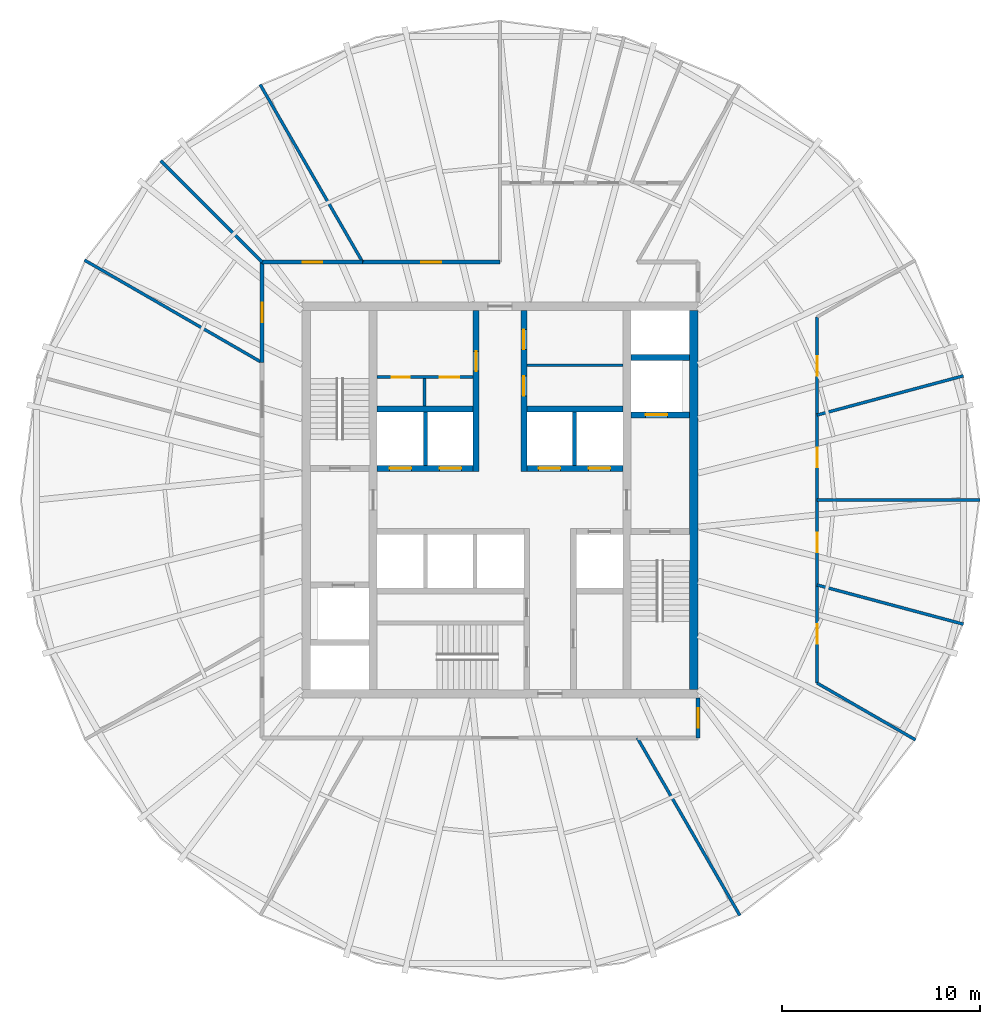
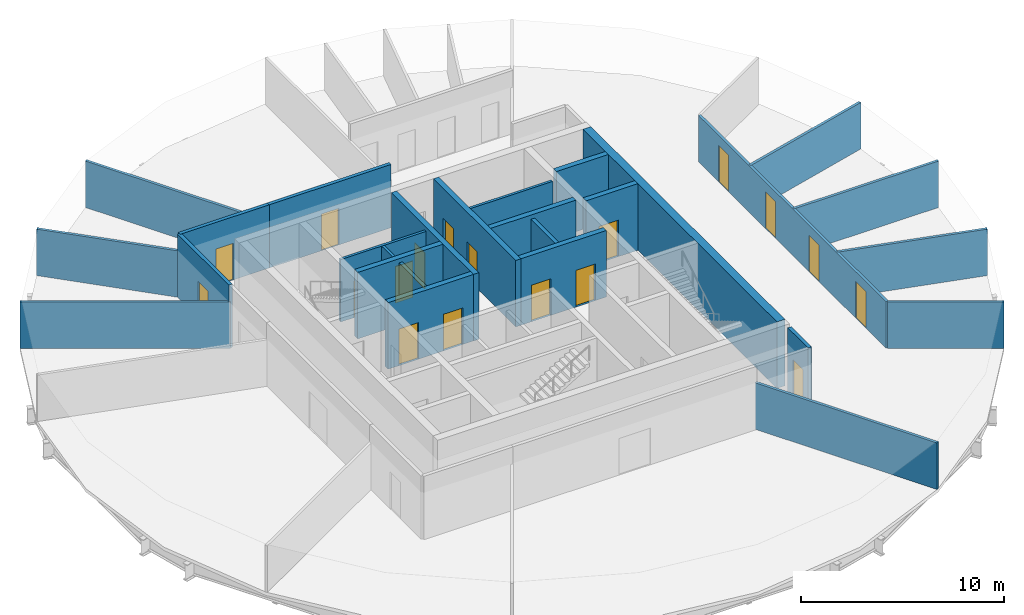
# One storey, part 4 of 6: 27 walls, 18 doors, 18 openings.
"""IFC4 building model written with IfcOpenShell, lengths in metres."""

import ifcopenshell
import ifcopenshell.guid

model = None  # the IFC model being written
_history = None  # IfcOwnerHistory: only IFC2X3 demands one
_inside = {}  # id of a spatial element -> (the spatial element, [elements in it])
_under = {}  # id of a project, library or spatial element -> (it, [spatial elements below it])
_declared = {}  # id of a project -> (the project, [libraries it declares])
_typed = {}  # id of a type object -> (the type object, [elements of that type])
_made_of = {}  # id of a material, layer set ... -> (it, [elements and type objects made of it])


def new_model(schema):
    """Start an empty IFC model of exactly this schema.

    Asked for "IFC4X3", IfcOpenShell would pick the latest addendum, in which some entities
    have other attributes; the version numbers below select the first issue.
    IFC2X3 requires an IfcOwnerHistory on every rooted entity: one is made here for all.
    """
    global model, _history
    if schema == "IFC4X3":
        model = ifcopenshell.file(schema_version=(4, 3, 0, 0))
    else:
        model = ifcopenshell.file(schema=schema)
    _inside.clear()
    _under.clear()
    _declared.clear()
    _typed.clear()
    _made_of.clear()
    _history = None
    if model.schema == "IFC2X3":
        org = make("IfcOrganization", Name="unknown")
        user = make(
            "IfcPersonAndOrganization",
            ThePerson=make("IfcPerson", FamilyName="unknown"),
            TheOrganization=org,
        )
        app = make(
            "IfcApplication",
            ApplicationDeveloper=org,
            Version="unknown",
            ApplicationFullName="unknown",
            ApplicationIdentifier="unknown",
        )
        _history = make(
            "IfcOwnerHistory",
            OwningUser=user,
            OwningApplication=app,
            ChangeAction="ADDED",
            CreationDate=0,
        )
    return model


def make(cls, **values):
    """One entity of the class cls with the attributes given. An attribute that is None is left unset."""
    return model.create_entity(
        cls, **{name: value for name, value in values.items() if value is not None}
    )


def rooted(cls, **values):
    """An entity with a GlobalId (a new one), such as an element, a storey or a relation."""
    return make(cls, GlobalId=ifcopenshell.guid.new(), OwnerHistory=_history, **values)


def si_unit(unit_type, name, prefix=None):
    """IfcSIUnit, for example si_unit("LENGTHUNIT", "METRE", prefix="MILLI")."""
    return make("IfcSIUnit", UnitType=unit_type, Prefix=prefix, Name=name)


def assignment(units):
    """IfcUnitAssignment: the units of a project."""
    return None if units is None else make("IfcUnitAssignment", Units=units)


def point(xyz):
    """IfcCartesianPoint."""
    return None if xyz is None else make("IfcCartesianPoint", Coordinates=xyz)


def direction(xyz):
    """IfcDirection."""
    return None if xyz is None else make("IfcDirection", DirectionRatios=xyz)


def frame(location, z_axis=None, x_axis=None):
    """IfcAxis2Placement3D, a coordinate frame: its origin and axes. An axis left out is left unset."""
    return make(
        "IfcAxis2Placement3D",
        Location=point(location),
        Axis=direction(z_axis),
        RefDirection=direction(x_axis),
    )


def frame_2d(location, x_axis=None):
    """IfcAxis2Placement2D, a coordinate frame in the plane: its origin and x axis."""
    return make(
        "IfcAxis2Placement2D", Location=point(location), RefDirection=direction(x_axis)
    )


def origin():
    """The frame at (0, 0, 0) with its axes left unset."""
    return frame((0.0, 0.0, 0.0))


def place(relative_to, where):
    """IfcLocalPlacement: puts the frame where relative to a parent placement (None: the world)."""
    return make(
        "IfcLocalPlacement", PlacementRelTo=relative_to, RelativePlacement=where
    )


def context(
    kind, dimensions, precision=None, world=None, true_north=None, identifier=None
):
    """IfcGeometricRepresentationContext, for example the 3D "Model" context."""
    return make(
        "IfcGeometricRepresentationContext",
        ContextIdentifier=identifier,
        ContextType=kind,
        CoordinateSpaceDimension=dimensions,
        Precision=precision,
        WorldCoordinateSystem=world,
        TrueNorth=true_north,
    )


def subcontext(parent, identifier, kind, view, scale=None):
    """IfcGeometricRepresentationSubContext, for example "Body" below "Model"."""
    return make(
        "IfcGeometricRepresentationSubContext",
        ContextIdentifier=identifier,
        ContextType=kind,
        ParentContext=parent,
        TargetScale=scale,
        TargetView=view,
    )


def project(units=None, contexts=None):
    """IfcProject with its units and contexts."""
    return rooted(
        "IfcProject",
        Name="project",
        RepresentationContexts=contexts,
        UnitsInContext=assignment(units),
    )


def spatial(cls, under=None, at=None, **own):
    """A site, building, storey or space (cls), placed at a placement, below another one or the project."""
    s = rooted(cls, ObjectPlacement=at, **own)
    if under is not None:
        _under.setdefault(under.id(), (under, []))[1].append(s)
    return s


def profile(cls, at=None, kind="AREA", **sizes):
    """A parametric profile (cls). Its sizes go by their IFC names, for example OverallWidth=200.0."""
    return make(cls, ProfileType=kind, Position=at, **sizes)


def rectangle(**sizes):
    """IfcRectangleProfileDef."""
    return profile("IfcRectangleProfileDef", **sizes)


def extrude(swept, where, along, depth):
    """IfcExtrudedAreaSolid: the profile swept, set in the frame where, extruded along a direction by depth."""
    return make(
        "IfcExtrudedAreaSolid",
        SweptArea=swept,
        Position=where,
        ExtrudedDirection=direction(along),
        Depth=depth,
    )


def shape(context_of_items, identifier, shape_type, items):
    """IfcShapeRepresentation: the items that make up one representation, for example the "Body"."""
    return make(
        "IfcShapeRepresentation",
        ContextOfItems=context_of_items,
        RepresentationIdentifier=identifier,
        RepresentationType=shape_type,
        Items=items,
    )


def material(Name=None, Category=None):
    """IfcMaterial."""
    return make("IfcMaterial", Name=Name, Category=Category)


def layer(
    of_material, thickness, ventilated=None, Name=None, Category=None, Priority=None
):
    """IfcMaterialLayer: one layer of a wall or slab, of a material (None: an air gap)."""
    return make(
        "IfcMaterialLayer",
        Material=of_material,
        LayerThickness=thickness,
        IsVentilated=ventilated,
        Name=Name,
        Category=Category,
        Priority=Priority,
    )


def layer_set(layers, Name=None):
    """IfcMaterialLayerSet."""
    return make("IfcMaterialLayerSet", MaterialLayers=layers, LayerSetName=Name)


def made_of(thing, what):
    """Note that an element or type object is made of a material, layer set ...; save() writes the relation."""
    if what is not None:
        _made_of.setdefault(what.id(), (what, []))[1].append(thing)
    return thing


def type_object(cls, material=None, **own):
    """A type object (cls), such as IfcWallType, which elements share."""
    return made_of(rooted(cls, **own), material)


def element(
    cls,
    number,
    at=None,
    inside=None,
    cuts=None,
    type_object=None,
    material=None,
    context=None,
    identifier="Body",
    shape_type=None,
    held_by="IfcProductDefinitionShape",
    body=None,
    shapes=None,
    **own,
):
    """One element of the class cls, such as IfcWall. Its Tag is "e" and its number.

    at: its placement. inside: the storey or other place that contains it. cuts: it is an
    opening in that element (IfcRelVoidsElement). A single representation is given by context,
    identifier, shape_type and body (its items); several are given by shapes. held_by: the class
    of the entity that holds the representations. save() writes the other relations.
    """
    e = rooted(cls, Tag="e%d" % number, ObjectPlacement=at, **own)
    if body is not None:
        shapes = [shape(context, identifier, shape_type, body)]
    if shapes is not None:
        e.Representation = make(held_by, Representations=shapes)
    if inside is not None:
        _inside.setdefault(inside.id(), (inside, []))[1].append(e)
    if cuts is not None:
        rooted(
            "IfcRelVoidsElement", RelatingBuildingElement=cuts, RelatedOpeningElement=e
        )
    if type_object is not None:
        _typed.setdefault(type_object.id(), (type_object, []))[1].append(e)
    return made_of(e, material)


def fill(opening, filler):
    """IfcRelFillsElement: the door or window that sits in an opening."""
    return rooted(
        "IfcRelFillsElement",
        RelatingOpeningElement=opening,
        RelatedBuildingElement=filler,
    )


def aggregate(whole, parts):
    """IfcRelAggregates: a whole, such as a stair, and the parts it consists of."""
    return rooted("IfcRelAggregates", RelatingObject=whole, RelatedObjects=parts)


def save(model, path):
    """Write the relations noted so far, then the file.

    IfcRelAggregates (storeys below a building ...), IfcRelContainedInSpatialStructure (elements
    in a storey), IfcRelDefinesByType, IfcRelAssociatesMaterial and IfcRelDeclares: one each for
    every whole, place, type object, material and project.
    """
    for whole, parts in _under.values():
        aggregate(whole, parts)
    for where, things in _inside.values():
        rooted(
            "IfcRelContainedInSpatialStructure",
            RelatedElements=things,
            RelatingStructure=where,
        )
    for kind, things in _typed.values():
        rooted("IfcRelDefinesByType", RelatedObjects=things, RelatingType=kind)
    for what, things in _made_of.values():
        rooted("IfcRelAssociatesMaterial", RelatedObjects=things, RelatingMaterial=what)
    for by, libraries in _declared.values():
        rooted("IfcRelDeclares", RelatingContext=by, RelatedDefinitions=libraries)
    model.write(path)


model = new_model("IFC4")

# Units and contexts
model_context = context("Model", 3, precision=1e-05, world=origin(), true_north=direction((0.0, 1.0)))
body_context = subcontext(model_context, "Body", "Model", "MODEL_VIEW")
ifc_project = project(units=[si_unit("LENGTHUNIT", "METRE"), si_unit("AREAUNIT", "SQUARE_METRE"), si_unit("VOLUMEUNIT", "CUBIC_METRE"), si_unit("PLANEANGLEUNIT", "RADIAN"), si_unit("MASSUNIT", "GRAM", prefix="KILO")], contexts=[model_context])

# Site, building, storey
site_placement = place(None, origin())
site = spatial("IfcSite", under=ifc_project, at=site_placement, CompositionType="ELEMENT")
building_placement = place(site_placement, origin())
building = spatial("IfcBuilding", under=site, at=building_placement, Name="Golbaran Civic Tower", CompositionType="ELEMENT")
storey_placement = place(building_placement, frame((0.0, 0.0, 163.0)))
storey = spatial("IfcBuildingStorey", under=building, at=storey_placement, Name="L39", CompositionType="ELEMENT", Elevation=163.0)

# Walls
ifc_material_1 = material(Name="Concrete block", Category="concrete")
ifc_layer_1 = layer(ifc_material_1, 0.14990234375, Name="Concrete block")
ifc_layer_set_1 = layer_set([ifc_layer_1], Name="Concrete block")
wall_type_1 = type_object("IfcWallType", Name="BLOCKWORK PARTITION 150", PredefinedType="PARTITIONING", material=ifc_layer_set_1)
wall_1_placement = place(storey_placement, frame((1.35009765625, 6.800048828125, 0.0), z_axis=(0.0, 0.0, 1.0), x_axis=(1.0, 0.0, 0.0)))
element("IfcWall", 1, at=wall_1_placement, inside=storey, type_object=wall_type_1, Name="Toilet block partition TN1 L39", PredefinedType="PARTITIONING", context=body_context, shape_type="SweptSolid", body=[
    extrude(rectangle(XDim=4.849853515625, YDim=0.14990234375, at=frame_2d((2.4248046875, 0.0))), origin(), (0.0, 0.0, 1.0), 3.75),
])
ifc_material_2 = material(Name="Concrete C50/60", Category="concrete")
ifc_layer_2 = layer(ifc_material_2, 0.449951171875, Name="Concrete C50/60")
ifc_layer_set_2 = layer_set([ifc_layer_2], Name="Concrete C50/60")
wall_type_2 = type_object("IfcWallType", Name="CORE WALL CONCRETE 450", PredefinedType="SOLIDWALL", material=ifc_layer_set_2)
wall_2_placement = place(storey_placement, frame((9.77490234375, -9.550048828125, 0.0), z_axis=(0.0, 0.0, 1.0), x_axis=(0.0, 1.0, 0.0)))
element("IfcWall", 2, at=wall_2_placement, inside=storey, type_object=wall_type_2, Name="Core wall CE L39", PredefinedType="SOLIDWALL", context=body_context, shape_type="SweptSolid", body=[
    extrude(rectangle(XDim=19.10009765625, YDim=0.449951171875, at=frame_2d((9.550048828125, 0.0))), origin(), (0.0, 0.0, 1.0), 4.0),
])

# Wall, opening, door
ifc_material_3 = material(Name="Gypsum board on steel studs, fire-rated", Category="steel")
ifc_layer_3 = layer(ifc_material_3, 0.199951171875, Name="Gypsum board on steel studs, fire-rated")
ifc_layer_set_3 = layer_set([ifc_layer_3], Name="Gypsum board on steel studs, fire-rated")
wall_type_3 = type_object("IfcWallType", Name="CORRIDOR WALL 200", PredefinedType="PARTITIONING", material=ifc_layer_set_3)
wall_3_placement = place(storey_placement, frame((0.0, 12.0, 0.0), z_axis=(0.0, 0.0, 1.0), x_axis=(-1.0, 0.0, 0.0)))
wall_3 = element("IfcWall", 3, at=wall_3_placement, inside=storey, type_object=wall_type_3, Name="Corridor wall L39", PredefinedType="PARTITIONING", context=body_context, shape_type="SweptSolid", body=[
    extrude(rectangle(XDim=6.92822265625, YDim=0.199951171875, at=frame_2d((3.464111328125, 0.0))), origin(), (0.0, 0.0, 1.0), 3.800048828125),
])
opening_1_placement = place(wall_3_placement, frame((2.964111328125, 0.0, 0.0)))
opening_1 = element("IfcOpeningElement", 4, at=opening_1_placement, cuts=wall_3, Name="Opening L39.09", PredefinedType="OPENING", context=body_context, shape_type="SweptSolid", body=[
    extrude(rectangle(XDim=1.0, YDim=2.199951171875, at=frame_2d((0.5, 1.10009765625))), frame((0.0, 0.10986328125, 0.0), z_axis=(0.0, -1.0, 0.0), x_axis=(1.0, 0.0, 0.0)), (0.0, 0.0, 1.0), 0.219970703125),
])
ifc_material_4 = material(Name="Timber door set in steel frame", Category="steel")
door_type_1 = type_object("IfcDoorType", Name="OFFICE DOOR 1000x2200", OperationType="SINGLE_SWING_LEFT", PredefinedType="DOOR", material=ifc_material_4)
door_1_placement = place(opening_1_placement, origin())
door_1 = element("IfcDoor", 5, at=door_1_placement, inside=storey, type_object=door_type_1, Name="Project Room door L39", OperationType="SINGLE_SWING_RIGHT", OverallHeight=2.199951171875, OverallWidth=1.0, PredefinedType="DOOR", context=body_context, shape_type="SweptSolid", body=[
    extrude(rectangle(XDim=1.0, YDim=2.199951171875, at=frame_2d((0.5, 1.10009765625))), frame((0.0, 0.02490234375, 0.0), z_axis=(0.0, -1.0, 0.0), x_axis=(1.0, 0.0, 0.0)), (0.0, 0.0, 1.0), 0.050048828125),
])
fill(opening_1, door_1)

wall_4_placement = place(storey_placement, frame((-6.92822265625, 12.0, 0.0), z_axis=(0.0, 0.0, 1.0), x_axis=(-1.0, 0.0, 0.0)))
wall_4 = element("IfcWall", 6, at=wall_4_placement, inside=storey, type_object=wall_type_3, Name="Corridor wall L39", PredefinedType="PARTITIONING", context=body_context, shape_type="SweptSolid", body=[
    extrude(rectangle(XDim=5.07177734375, YDim=0.199951171875, at=frame_2d((2.535888671875, 0.0))), origin(), (0.0, 0.0, 1.0), 3.800048828125),
])
opening_2_placement = place(wall_4_placement, frame((2.035888671875, 0.0, 0.0)))
opening_2 = element("IfcOpeningElement", 7, at=opening_2_placement, cuts=wall_4, Name="Opening L39.10", PredefinedType="OPENING", context=body_context, shape_type="SweptSolid", body=[
    extrude(rectangle(XDim=1.0, YDim=2.199951171875, at=frame_2d((0.5, 1.10009765625))), frame((0.0, 0.10986328125, 0.0), z_axis=(0.0, -1.0, 0.0), x_axis=(1.0, 0.0, 0.0)), (0.0, 0.0, 1.0), 0.219970703125),
])
door_2_placement = place(opening_2_placement, origin())
door_2 = element("IfcDoor", 8, at=door_2_placement, inside=storey, type_object=door_type_1, Name="Office door L39", OperationType="SINGLE_SWING_RIGHT", OverallHeight=2.199951171875, OverallWidth=1.0, PredefinedType="DOOR", context=body_context, shape_type="SweptSolid", body=[
    extrude(rectangle(XDim=1.0, YDim=2.199951171875, at=frame_2d((0.5, 1.10009765625))), frame((0.0, 0.02490234375, 0.0), z_axis=(0.0, -1.0, 0.0), x_axis=(1.0, 0.0, 0.0)), (0.0, 0.0, 1.0), 0.050048828125),
])
fill(opening_2, door_2)

wall_5_placement = place(storey_placement, frame((-12.0, 12.0, 0.0), z_axis=(0.0, 0.0, 1.0), x_axis=(0.0, -1.0, 0.0)))
wall_5 = element("IfcWall", 9, at=wall_5_placement, inside=storey, type_object=wall_type_3, Name="Corridor wall L39", PredefinedType="PARTITIONING", context=body_context, shape_type="SweptSolid", body=[
    extrude(rectangle(XDim=5.07177734375, YDim=0.199951171875, at=frame_2d((2.535888671875, 0.0))), origin(), (0.0, 0.0, 1.0), 3.800048828125),
])
opening_3_placement = place(wall_5_placement, frame((2.035888671875, 0.0, 0.0)))
opening_3 = element("IfcOpeningElement", 10, at=opening_3_placement, cuts=wall_5, Name="Opening L39.11", PredefinedType="OPENING", context=body_context, shape_type="SweptSolid", body=[
    extrude(rectangle(XDim=1.0, YDim=2.199951171875, at=frame_2d((0.5, 1.10009765625))), frame((0.0, 0.10986328125, 0.0), z_axis=(0.0, -1.0, 0.0), x_axis=(1.0, 0.0, 0.0)), (0.0, 0.0, 1.0), 0.219970703125),
])
door_3_placement = place(opening_3_placement, origin())
door_3 = element("IfcDoor", 11, at=door_3_placement, inside=storey, type_object=door_type_1, Name="Office door L39", OperationType="SINGLE_SWING_RIGHT", OverallHeight=2.199951171875, OverallWidth=1.0, PredefinedType="DOOR", context=body_context, shape_type="SweptSolid", body=[
    extrude(rectangle(XDim=1.0, YDim=2.199951171875, at=frame_2d((0.5, 1.10009765625))), frame((0.0, 0.02490234375, 0.0), z_axis=(0.0, -1.0, 0.0), x_axis=(1.0, 0.0, 0.0)), (0.0, 0.0, 1.0), 0.050048828125),
])
fill(opening_3, door_3)

wall_6_placement = place(storey_placement, frame((10.0, -10.0, 0.0), z_axis=(0.0, 0.0, 1.0), x_axis=(0.0, -1.0, 0.0)))
wall_6 = element("IfcWall", 12, at=wall_6_placement, inside=storey, type_object=wall_type_3, Name="Corridor end wall L39", PredefinedType="PARTITIONING", context=body_context, shape_type="SweptSolid", body=[
    extrude(rectangle(XDim=2.0, YDim=0.199951171875, at=frame_2d((1.0, 0.0))), origin(), (0.0, 0.0, 1.0), 3.800048828125),
])
opening_4_placement = place(wall_6_placement, frame((0.5, 0.0, 0.0)))
opening_4 = element("IfcOpeningElement", 13, at=opening_4_placement, cuts=wall_6, Name="Opening L39.19", PredefinedType="OPENING", context=body_context, shape_type="SweptSolid", body=[
    extrude(rectangle(XDim=1.0, YDim=2.199951171875, at=frame_2d((0.5, 1.10009765625))), frame((0.0, 0.10986328125, 0.0), z_axis=(0.0, -1.0, 0.0), x_axis=(1.0, 0.0, 0.0)), (0.0, 0.0, 1.0), 0.219970703125),
])
door_4_placement = place(opening_4_placement, origin())
door_4 = element("IfcDoor", 14, at=door_4_placement, inside=storey, type_object=door_type_1, Name="Open Office door L39", OperationType="SINGLE_SWING_RIGHT", OverallHeight=2.199951171875, OverallWidth=1.0, PredefinedType="DOOR", context=body_context, shape_type="SweptSolid", body=[
    extrude(rectangle(XDim=1.0, YDim=2.199951171875, at=frame_2d((0.5, 1.10009765625))), frame((0.0, 0.02490234375, 0.0), z_axis=(0.0, -1.0, 0.0), x_axis=(1.0, 0.0, 0.0)), (0.0, 0.0, 1.0), 0.050048828125),
])
fill(opening_4, door_4)

# Walls
ifc_layer_4 = layer(ifc_material_1, 0.199951171875, Name="Concrete block")
ifc_layer_set_4 = layer_set([ifc_layer_4], Name="Concrete block")
wall_type_4 = type_object("IfcWallType", Name="LIFT SEPARATOR WALL 200", PredefinedType="SOLIDWALL", material=ifc_layer_set_4)
for number, where, z_axis, x_axis, name in (
    (15, (-3.75, 1.75, 0.0), (0.0, 0.0, 1.0), (0.0, 1.0, 0.0), "Core partition SNW L39"),
    (16, (3.75, 1.75, 0.0), (0.0, 0.0, 1.0), (0.0, 1.0, 0.0), "Core partition SNE L39"),
):
    element("IfcWall", number, at=place(storey_placement, frame(where, z_axis=z_axis, x_axis=x_axis)), inside=storey, type_object=wall_type_4, Name=name, PredefinedType="SOLIDWALL", context=body_context, shape_type="SweptSolid", body=[
        extrude(rectangle(XDim=2.699951171875, YDim=0.199951171875, at=frame_2d((1.35009765625, 0.0))), origin(), (0.0, 0.0, 1.0), 3.75),
    ])
ifc_material_5 = material(Name="Gypsum board on steel studs", Category="steel")
ifc_layer_5 = layer(ifc_material_5, 0.14990234375, Name="Gypsum board on steel studs")
ifc_layer_set_5 = layer_set([ifc_layer_5], Name="Gypsum board on steel studs")
wall_type_5 = type_object("IfcWallType", Name="OFFICE PARTITION 150", PredefinedType="PARTITIONING", material=ifc_layer_set_5)
wall_7_placement = place(storey_placement, frame((-6.92822265625, 12.0, 0.0), z_axis=(0.0, 0.0, 1.0), x_axis=(-0.500006140648, 0.86602185845, 0.0)))
element("IfcWall", 17, at=wall_7_placement, inside=storey, type_object=wall_type_5, Name="Partition 120 L39", PredefinedType="PARTITIONING", context=body_context, shape_type="SweptSolid", body=[
    extrude(rectangle(XDim=10.354736328125, YDim=0.14990234375, at=frame_2d((5.17724609375, 0.0))), origin(), (0.0, 0.0, 1.0), 2.7900390625),
])
wall_8_placement = place(storey_placement, frame((-12.0, 12.0, 0.0), z_axis=(0.0, 0.0, 1.0), x_axis=(-0.707106781187, 0.707106781187, 0.0)))
element("IfcWall", 18, at=wall_8_placement, inside=storey, type_object=wall_type_5, Name="Partition 135 L39", PredefinedType="PARTITIONING", context=body_context, shape_type="SweptSolid", body=[
    extrude(rectangle(XDim=7.240478515625, YDim=0.14990234375, at=frame_2d((3.6201171875, 0.0))), origin(), (0.0, 0.0, 1.0), 2.7900390625),
])
for number, where, z_axis, x_axis, name in (
    (19, (-12.0, 6.92822265625, 0.0), (0.0, 0.0, 1.0), (-0.86602185845, 0.500006140648, 0.0), "Partition 150 L39"),
    (20, (6.92822265625, -12.0, 0.0), (0.0, 0.0, 1.0), (0.500006140648, -0.86602185845, 0.0), "Partition 300 L39"),
):
    element("IfcWall", number, at=place(storey_placement, frame(where, z_axis=z_axis, x_axis=x_axis)), inside=storey, type_object=wall_type_5, Name=name, PredefinedType="PARTITIONING", context=body_context, shape_type="SweptSolid", body=[
        extrude(rectangle(XDim=10.354736328125, YDim=0.14990234375, at=frame_2d((5.17724609375, 0.0))), origin(), (0.0, 0.0, 1.0), 2.7900390625),
    ])

# Wall, openings, doors
wall_9_placement = place(storey_placement, frame((16.0, -9.237548828125, 0.0), z_axis=(0.0, 0.0, 1.0), x_axis=(0.0, 1.0, 0.0)))
wall_9 = element("IfcWall", 21, at=wall_9_placement, inside=storey, type_object=wall_type_5, Name="Suite partition L39", PredefinedType="PARTITIONING", context=body_context, shape_type="SweptSolid", body=[
    extrude(rectangle(XDim=18.47509765625, YDim=0.14990234375, at=frame_2d((9.237548828125, 0.0))), origin(), (0.0, 0.0, 1.0), 2.7900390625),
])
opening_5_placement = place(wall_9_placement, frame((1.97509765625, 0.0, 0.0)))
opening_5 = element("IfcOpeningElement", 22, at=opening_5_placement, cuts=wall_9, Name="Opening L39.01", PredefinedType="OPENING", context=body_context, shape_type="SweptSolid", body=[
    extrude(rectangle(XDim=1.0, YDim=2.199951171875, at=frame_2d((0.5, 1.10009765625))), frame((0.0, 0.0849609375, 0.0), z_axis=(0.0, -1.0, 0.0), x_axis=(1.0, 0.0, 0.0)), (0.0, 0.0, 1.0), 0.169921875),
])
opening_6_placement = place(wall_9_placement, frame((6.593994140625, 0.0, 0.0)))
opening_6 = element("IfcOpeningElement", 23, at=opening_6_placement, cuts=wall_9, Name="Opening L39.02", PredefinedType="OPENING", context=body_context, shape_type="SweptSolid", body=[
    extrude(rectangle(XDim=1.0, YDim=2.199951171875, at=frame_2d((0.5, 1.10009765625))), frame((0.0, 0.0849609375, 0.0), z_axis=(0.0, -1.0, 0.0), x_axis=(1.0, 0.0, 0.0)), (0.0, 0.0, 1.0), 0.169921875),
])
opening_7_placement = place(wall_9_placement, frame((10.881103515625, 0.0, 0.0)))
opening_7 = element("IfcOpeningElement", 24, at=opening_7_placement, cuts=wall_9, Name="Opening L39.03", PredefinedType="OPENING", context=body_context, shape_type="SweptSolid", body=[
    extrude(rectangle(XDim=1.0, YDim=2.199951171875, at=frame_2d((0.5, 1.10009765625))), frame((0.0, 0.0849609375, 0.0), z_axis=(0.0, -1.0, 0.0), x_axis=(1.0, 0.0, 0.0)), (0.0, 0.0, 1.0), 0.169921875),
])
opening_8_placement = place(wall_9_placement, frame((15.5, 0.0, 0.0)))
opening_8 = element("IfcOpeningElement", 25, at=opening_8_placement, cuts=wall_9, Name="Opening L39.04", PredefinedType="OPENING", context=body_context, shape_type="SweptSolid", body=[
    extrude(rectangle(XDim=1.0, YDim=2.199951171875, at=frame_2d((0.5, 1.10009765625))), frame((0.0, 0.0849609375, 0.0), z_axis=(0.0, -1.0, 0.0), x_axis=(1.0, 0.0, 0.0)), (0.0, 0.0, 1.0), 0.169921875),
])
door_5_placement = place(opening_5_placement, origin())
door_5 = element("IfcDoor", 26, at=door_5_placement, inside=storey, type_object=door_type_1, Name="Meeting Room door L39", OperationType="SINGLE_SWING_LEFT", OverallHeight=2.199951171875, OverallWidth=1.0, PredefinedType="DOOR", context=body_context, shape_type="SweptSolid", body=[
    extrude(rectangle(XDim=1.0, YDim=2.199951171875, at=frame_2d((0.5, 1.10009765625))), frame((0.0, 0.02490234375, 0.0), z_axis=(0.0, -1.0, 0.0), x_axis=(1.0, 0.0, 0.0)), (0.0, 0.0, 1.0), 0.050048828125),
])
fill(opening_5, door_5)
door_6_placement = place(opening_6_placement, origin())
door_6 = element("IfcDoor", 27, at=door_6_placement, inside=storey, type_object=door_type_1, Name="Office door L39", OperationType="SINGLE_SWING_LEFT", OverallHeight=2.199951171875, OverallWidth=1.0, PredefinedType="DOOR", context=body_context, shape_type="SweptSolid", body=[
    extrude(rectangle(XDim=1.0, YDim=2.199951171875, at=frame_2d((0.5, 1.10009765625))), frame((0.0, 0.02490234375, 0.0), z_axis=(0.0, -1.0, 0.0), x_axis=(1.0, 0.0, 0.0)), (0.0, 0.0, 1.0), 0.050048828125),
])
fill(opening_6, door_6)
door_7_placement = place(opening_7_placement, origin())
door_7 = element("IfcDoor", 28, at=door_7_placement, inside=storey, type_object=door_type_1, Name="Office door L39", OperationType="SINGLE_SWING_RIGHT", OverallHeight=2.199951171875, OverallWidth=1.0, PredefinedType="DOOR", context=body_context, shape_type="SweptSolid", body=[
    extrude(rectangle(XDim=1.0, YDim=2.199951171875, at=frame_2d((0.5, 1.10009765625))), frame((0.0, 0.02490234375, 0.0), z_axis=(0.0, -1.0, 0.0), x_axis=(1.0, 0.0, 0.0)), (0.0, 0.0, 1.0), 0.050048828125),
])
fill(opening_7, door_7)
door_8_placement = place(opening_8_placement, origin())
door_8 = element("IfcDoor", 29, at=door_8_placement, inside=storey, type_object=door_type_1, Name="Meeting Room door L39", OperationType="SINGLE_SWING_RIGHT", OverallHeight=2.199951171875, OverallWidth=1.0, PredefinedType="DOOR", context=body_context, shape_type="SweptSolid", body=[
    extrude(rectangle(XDim=1.0, YDim=2.199951171875, at=frame_2d((0.5, 1.10009765625))), frame((0.0, 0.02490234375, 0.0), z_axis=(0.0, -1.0, 0.0), x_axis=(1.0, 0.0, 0.0)), (0.0, 0.0, 1.0), 0.050048828125),
])
fill(opening_8, door_8)

# Walls
wall_10_placement = place(storey_placement, frame((16.0, -9.237548828125, 0.0), z_axis=(0.0, 0.0, 1.0), x_axis=(0.866013348985, -0.500020878944, 0.0)))
element("IfcWall", 30, at=wall_10_placement, inside=storey, type_object=wall_type_5, Name="Suite side partition L39", PredefinedType="PARTITIONING", context=body_context, shape_type="SweptSolid", body=[
    extrude(rectangle(XDim=5.736083984375, YDim=0.14990234375, at=frame_2d((2.8681640625, 0.0))), origin(), (0.0, 0.0, 1.0), 2.7900390625),
])
wall_11_placement = place(storey_placement, frame((16.0, -4.287109375, 0.0), z_axis=(0.0, 0.0, 1.0), x_axis=(0.965922113611, -0.25883290061, 0.0)))
element("IfcWall", 31, at=wall_11_placement, inside=storey, type_object=wall_type_5, Name="Partition 345 L39", PredefinedType="PARTITIONING", context=body_context, shape_type="SweptSolid", body=[
    extrude(rectangle(XDim=7.646728515625, YDim=0.14990234375, at=frame_2d((3.8232421875, 0.0))), origin(), (0.0, 0.0, 1.0), 2.7900390625),
])
wall_12_placement = place(storey_placement, frame((16.0, 0.0, 0.0), z_axis=(0.0, 0.0, 1.0), x_axis=(1.0, 0.0, 0.0)))
element("IfcWall", 32, at=wall_12_placement, inside=storey, type_object=wall_type_5, Name="Partition 0 L39", PredefinedType="PARTITIONING", context=body_context, shape_type="SweptSolid", body=[
    extrude(rectangle(XDim=8.211181640625, YDim=0.14990234375, at=frame_2d((4.10546875, 0.0))), origin(), (0.0, 0.0, 1.0), 2.7900390625),
])
wall_13_placement = place(storey_placement, frame((16.0, 4.287109375, 0.0), z_axis=(0.0, 0.0, 1.0), x_axis=(0.965922113611, 0.25883290061, 0.0)))
element("IfcWall", 33, at=wall_13_placement, inside=storey, type_object=wall_type_5, Name="Partition 15 L39", PredefinedType="PARTITIONING", context=body_context, shape_type="SweptSolid", body=[
    extrude(rectangle(XDim=7.646728515625, YDim=0.14990234375, at=frame_2d((3.8232421875, 0.0))), origin(), (0.0, 0.0, 1.0), 2.7900390625),
])

# Wall, openings, doors
ifc_layer_6 = layer(ifc_material_2, 0.300048828125, Name="Concrete C50/60")
ifc_layer_set_6 = layer_set([ifc_layer_6], Name="Concrete C50/60")
wall_type_6 = type_object("IfcWallType", Name="SHAFT WALL CONCRETE 300", PredefinedType="SOLIDWALL", material=ifc_layer_set_6)
wall_14_placement = place(storey_placement, frame((-6.199951171875, 1.60009765625, 0.0), z_axis=(0.0, 0.0, 1.0), x_axis=(1.0, 0.0, 0.0)))
wall_14 = element("IfcWall", 34, at=wall_14_placement, inside=storey, type_object=wall_type_6, Name="Core wall FNW L39", PredefinedType="SOLIDWALL", context=body_context, shape_type="SweptSolid", body=[
    extrude(rectangle(XDim=4.849853515625, YDim=0.300048828125, at=frame_2d((2.4248046875, 0.0))), origin(), (0.0, 0.0, 1.0), 4.0),
])
opening_9_placement = place(wall_14_placement, frame((0.625, 0.0, 0.0)))
opening_9 = element("IfcOpeningElement", 35, at=opening_9_placement, cuts=wall_14, Name="Opening L39.LD-Z1H", PredefinedType="OPENING", context=body_context, shape_type="SweptSolid", body=[
    extrude(rectangle(XDim=1.10009765625, YDim=2.199951171875, at=frame_2d((0.550048828125, 1.10009765625))), frame((0.0, 0.159912109375, 0.0), z_axis=(0.0, -1.0, 0.0), x_axis=(1.0, 0.0, 0.0)), (0.0, 0.0, 1.0), 0.320068359375),
])
opening_10_placement = place(wall_14_placement, frame((3.14990234375, 0.0, 0.0)))
opening_10 = element("IfcOpeningElement", 36, at=opening_10_placement, cuts=wall_14, Name="Opening L39.LD-Z2H", PredefinedType="OPENING", context=body_context, shape_type="SweptSolid", body=[
    extrude(rectangle(XDim=1.10009765625, YDim=2.199951171875, at=frame_2d((0.550048828125, 1.10009765625))), frame((0.0, 0.159912109375, 0.0), z_axis=(0.0, -1.0, 0.0), x_axis=(1.0, 0.0, 0.0)), (0.0, 0.0, 1.0), 0.320068359375),
])
ifc_material_6 = material(Name="Stainless steel", Category="steel")
door_type_2 = type_object("IfcDoorType", Name="LIFT LANDING DOOR 1100x2200", OperationType="SLIDING_TO_LEFT", PredefinedType="DOOR", material=ifc_material_6)
door_9_placement = place(opening_9_placement, origin())
door_9 = element("IfcDoor", 37, at=door_9_placement, inside=storey, type_object=door_type_2, Name="Lift landing door Z1H", OperationType="SLIDING_TO_LEFT", OverallHeight=2.199951171875, OverallWidth=1.10009765625, PredefinedType="DOOR", context=body_context, shape_type="SweptSolid", body=[
    extrude(rectangle(XDim=1.10009765625, YDim=2.199951171875, at=frame_2d((0.550048828125, 1.10009765625))), frame((0.0, 0.02490234375, 0.0), z_axis=(0.0, -1.0, 0.0), x_axis=(1.0, 0.0, 0.0)), (0.0, 0.0, 1.0), 0.050048828125),
])
fill(opening_9, door_9)
door_10_placement = place(opening_10_placement, origin())
door_10 = element("IfcDoor", 38, at=door_10_placement, inside=storey, type_object=door_type_2, Name="Lift landing door Z2H", OperationType="SLIDING_TO_LEFT", OverallHeight=2.199951171875, OverallWidth=1.10009765625, PredefinedType="DOOR", context=body_context, shape_type="SweptSolid", body=[
    extrude(rectangle(XDim=1.10009765625, YDim=2.199951171875, at=frame_2d((0.550048828125, 1.10009765625))), frame((0.0, 0.02490234375, 0.0), z_axis=(0.0, -1.0, 0.0), x_axis=(1.0, 0.0, 0.0)), (0.0, 0.0, 1.0), 0.050048828125),
])
fill(opening_10, door_10)

wall_15_placement = place(storey_placement, frame((1.35009765625, 1.60009765625, 0.0), z_axis=(0.0, 0.0, 1.0), x_axis=(1.0, 0.0, 0.0)))
wall_15 = element("IfcWall", 39, at=wall_15_placement, inside=storey, type_object=wall_type_6, Name="Core wall FNE L39", PredefinedType="SOLIDWALL", context=body_context, shape_type="SweptSolid", body=[
    extrude(rectangle(XDim=4.849853515625, YDim=0.300048828125, at=frame_2d((2.4248046875, 0.0))), origin(), (0.0, 0.0, 1.0), 4.0),
])
opening_11_placement = place(wall_15_placement, frame((0.60009765625, 0.0, 0.0)))
opening_11 = element("IfcOpeningElement", 40, at=opening_11_placement, cuts=wall_15, Name="Opening L39.LD-Z3H", PredefinedType="OPENING", context=body_context, shape_type="SweptSolid", body=[
    extrude(rectangle(XDim=1.10009765625, YDim=2.199951171875, at=frame_2d((0.550048828125, 1.10009765625))), frame((0.0, 0.159912109375, 0.0), z_axis=(0.0, -1.0, 0.0), x_axis=(1.0, 0.0, 0.0)), (0.0, 0.0, 1.0), 0.320068359375),
])
opening_12_placement = place(wall_15_placement, frame((3.125, 0.0, 0.0)))
opening_12 = element("IfcOpeningElement", 41, at=opening_12_placement, cuts=wall_15, Name="Opening L39.LD-Z4H", PredefinedType="OPENING", context=body_context, shape_type="SweptSolid", body=[
    extrude(rectangle(XDim=1.10009765625, YDim=2.199951171875, at=frame_2d((0.550048828125, 1.10009765625))), frame((0.0, 0.159912109375, 0.0), z_axis=(0.0, -1.0, 0.0), x_axis=(1.0, 0.0, 0.0)), (0.0, 0.0, 1.0), 0.320068359375),
])
door_11_placement = place(opening_11_placement, origin())
door_11 = element("IfcDoor", 42, at=door_11_placement, inside=storey, type_object=door_type_2, Name="Lift landing door Z3H", OperationType="SLIDING_TO_LEFT", OverallHeight=2.199951171875, OverallWidth=1.10009765625, PredefinedType="DOOR", context=body_context, shape_type="SweptSolid", body=[
    extrude(rectangle(XDim=1.10009765625, YDim=2.199951171875, at=frame_2d((0.550048828125, 1.10009765625))), frame((0.0, 0.02490234375, 0.0), z_axis=(0.0, -1.0, 0.0), x_axis=(1.0, 0.0, 0.0)), (0.0, 0.0, 1.0), 0.050048828125),
])
fill(opening_11, door_11)
door_12_placement = place(opening_12_placement, origin())
door_12 = element("IfcDoor", 43, at=door_12_placement, inside=storey, type_object=door_type_2, Name="Lift landing door Z4H", OperationType="SLIDING_TO_LEFT", OverallHeight=2.199951171875, OverallWidth=1.10009765625, PredefinedType="DOOR", context=body_context, shape_type="SweptSolid", body=[
    extrude(rectangle(XDim=1.10009765625, YDim=2.199951171875, at=frame_2d((0.550048828125, 1.10009765625))), frame((0.0, 0.02490234375, 0.0), z_axis=(0.0, -1.0, 0.0), x_axis=(1.0, 0.0, 0.0)), (0.0, 0.0, 1.0), 0.050048828125),
])
fill(opening_12, door_12)

# Walls
for number, where, z_axis, x_axis, name in (
    (44, (-6.199951171875, 4.60009765625, 0.0), (0.0, 0.0, 1.0), (1.0, 0.0, 0.0), "Core wall BNW L39"),
    (45, (1.35009765625, 4.60009765625, 0.0), (0.0, 0.0, 1.0), (1.0, 0.0, 0.0), "Core wall BNE L39"),
):
    element("IfcWall", number, at=place(storey_placement, frame(where, z_axis=z_axis, x_axis=x_axis)), inside=storey, type_object=wall_type_6, Name=name, PredefinedType="SOLIDWALL", context=body_context, shape_type="SweptSolid", body=[
        extrude(rectangle(XDim=4.849853515625, YDim=0.300048828125, at=frame_2d((2.4248046875, 0.0))), origin(), (0.0, 0.0, 1.0), 4.0),
    ])

# Wall, opening, door
wall_16_placement = place(storey_placement, frame((-1.199951171875, 1.449951171875, 0.0), z_axis=(0.0, 0.0, 1.0), x_axis=(0.0, 1.0, 0.0)))
wall_16 = element("IfcWall", 46, at=wall_16_placement, inside=storey, type_object=wall_type_6, Name="Core wall PNW L39", PredefinedType="SOLIDWALL", context=body_context, shape_type="SweptSolid", body=[
    extrude(rectangle(XDim=8.10009765625, YDim=0.300048828125, at=frame_2d((4.050048828125, 0.0))), origin(), (0.0, 0.0, 1.0), 4.0),
])
opening_13_placement = place(wall_16_placement, frame((5.050048828125, 0.0, 0.0)))
opening_13 = element("IfcOpeningElement", 47, at=opening_13_placement, cuts=wall_16, Name="Opening L39.WCM", PredefinedType="OPENING", context=body_context, shape_type="SweptSolid", body=[
    extrude(rectangle(XDim=1.0, YDim=2.199951171875, at=frame_2d((0.5, 1.10009765625))), frame((0.0, 0.159912109375, 0.0), z_axis=(0.0, -1.0, 0.0), x_axis=(1.0, 0.0, 0.0)), (0.0, 0.0, 1.0), 0.320068359375),
])
door_type_3 = type_object("IfcDoorType", Name="TOILET DOOR 1000x2200", OperationType="SINGLE_SWING_LEFT", PredefinedType="DOOR", material=ifc_material_4)
door_13_placement = place(opening_13_placement, origin())
door_13 = element("IfcDoor", 48, at=door_13_placement, inside=storey, type_object=door_type_3, Name="North-west toilet block door", OperationType="SINGLE_SWING_RIGHT", OverallHeight=2.199951171875, OverallWidth=1.0, PredefinedType="DOOR", context=body_context, shape_type="SweptSolid", body=[
    extrude(rectangle(XDim=1.0, YDim=2.199951171875, at=frame_2d((0.5, 1.10009765625))), frame((0.0, 0.02490234375, 0.0), z_axis=(0.0, -1.0, 0.0), x_axis=(1.0, 0.0, 0.0)), (0.0, 0.0, 1.0), 0.050048828125),
])
fill(opening_13, door_13)

# Wall, openings, doors
wall_17_placement = place(storey_placement, frame((1.199951171875, 1.449951171875, 0.0), z_axis=(0.0, 0.0, 1.0), x_axis=(0.0, 1.0, 0.0)))
wall_17 = element("IfcWall", 49, at=wall_17_placement, inside=storey, type_object=wall_type_6, Name="Core wall PNE L39", PredefinedType="SOLIDWALL", context=body_context, shape_type="SweptSolid", body=[
    extrude(rectangle(XDim=8.10009765625, YDim=0.300048828125, at=frame_2d((4.050048828125, 0.0))), origin(), (0.0, 0.0, 1.0), 4.0),
])
opening_14_placement = place(wall_17_placement, frame((3.800048828125, 0.0, 0.0)))
opening_14 = element("IfcOpeningElement", 50, at=opening_14_placement, cuts=wall_17, Name="Opening L39.WCA", PredefinedType="OPENING", context=body_context, shape_type="SweptSolid", body=[
    extrude(rectangle(XDim=1.0, YDim=2.199951171875, at=frame_2d((0.5, 1.10009765625))), frame((0.0, 0.159912109375, 0.0), z_axis=(0.0, -1.0, 0.0), x_axis=(1.0, 0.0, 0.0)), (0.0, 0.0, 1.0), 0.320068359375),
])
opening_15_placement = place(wall_17_placement, frame((6.14990234375, 0.0, 0.0)))
opening_15 = element("IfcOpeningElement", 51, at=opening_15_placement, cuts=wall_17, Name="Opening L39.WCF", PredefinedType="OPENING", context=body_context, shape_type="SweptSolid", body=[
    extrude(rectangle(XDim=1.0, YDim=2.199951171875, at=frame_2d((0.5, 1.10009765625))), frame((0.0, 0.159912109375, 0.0), z_axis=(0.0, -1.0, 0.0), x_axis=(1.0, 0.0, 0.0)), (0.0, 0.0, 1.0), 0.320068359375),
])
door_14_placement = place(opening_14_placement, origin())
door_14 = element("IfcDoor", 52, at=door_14_placement, inside=storey, type_object=door_type_3, Name="Accessible WC door", OperationType="SINGLE_SWING_RIGHT", OverallHeight=2.199951171875, OverallWidth=1.0, PredefinedType="DOOR", context=body_context, shape_type="SweptSolid", body=[
    extrude(rectangle(XDim=1.0, YDim=2.199951171875, at=frame_2d((0.5, 1.10009765625))), frame((0.0, 0.02490234375, 0.0), z_axis=(0.0, -1.0, 0.0), x_axis=(1.0, 0.0, 0.0)), (0.0, 0.0, 1.0), 0.050048828125),
])
fill(opening_14, door_14)
door_15_placement = place(opening_15_placement, origin())
door_15 = element("IfcDoor", 53, at=door_15_placement, inside=storey, type_object=door_type_3, Name="North-east toilet block door", OperationType="SINGLE_SWING_RIGHT", OverallHeight=2.199951171875, OverallWidth=1.0, PredefinedType="DOOR", context=body_context, shape_type="SweptSolid", body=[
    extrude(rectangle(XDim=1.0, YDim=2.199951171875, at=frame_2d((0.5, 1.10009765625))), frame((0.0, 0.02490234375, 0.0), z_axis=(0.0, -1.0, 0.0), x_axis=(1.0, 0.0, 0.0)), (0.0, 0.0, 1.0), 0.050048828125),
])
fill(opening_15, door_15)

# Wall, opening, door
wall_18_placement = place(storey_placement, frame((6.60009765625, 4.300048828125, 0.0), z_axis=(0.0, 0.0, 1.0), x_axis=(1.0, 0.0, 0.0)))
wall_18 = element("IfcWall", 54, at=wall_18_placement, inside=storey, type_object=wall_type_6, Name="Core wall XE2 L39", PredefinedType="SOLIDWALL", context=body_context, shape_type="SweptSolid", body=[
    extrude(rectangle(XDim=2.949951171875, YDim=0.300048828125, at=frame_2d((1.47509765625, 0.0))), origin(), (0.0, 0.0, 1.0), 4.0),
])
opening_16_placement = place(wall_18_placement, frame((0.75, 0.0, 0.0)))
opening_16 = element("IfcOpeningElement", 55, at=opening_16_placement, cuts=wall_18, Name="Opening L39.LD-F2", PredefinedType="OPENING", context=body_context, shape_type="SweptSolid", body=[
    extrude(rectangle(XDim=1.10009765625, YDim=2.199951171875, at=frame_2d((0.550048828125, 1.10009765625))), frame((0.0, 0.159912109375, 0.0), z_axis=(0.0, -1.0, 0.0), x_axis=(1.0, 0.0, 0.0)), (0.0, 0.0, 1.0), 0.320068359375),
])
door_16_placement = place(opening_16_placement, origin())
door_16 = element("IfcDoor", 56, at=door_16_placement, inside=storey, type_object=door_type_2, Name="Lift landing door F2", OperationType="SLIDING_TO_LEFT", OverallHeight=2.199951171875, OverallWidth=1.10009765625, PredefinedType="DOOR", context=body_context, shape_type="SweptSolid", body=[
    extrude(rectangle(XDim=1.10009765625, YDim=2.199951171875, at=frame_2d((0.550048828125, 1.10009765625))), frame((0.0, 0.02490234375, 0.0), z_axis=(0.0, -1.0, 0.0), x_axis=(1.0, 0.0, 0.0)), (0.0, 0.0, 1.0), 0.050048828125),
])
fill(opening_16, door_16)

# Wall
wall_19_placement = place(storey_placement, frame((6.60009765625, 7.199951171875, 0.0), z_axis=(0.0, 0.0, 1.0), x_axis=(1.0, 0.0, 0.0)))
element("IfcWall", 57, at=wall_19_placement, inside=storey, type_object=wall_type_6, Name="Core wall XE3 L39", PredefinedType="SOLIDWALL", context=body_context, shape_type="SweptSolid", body=[
    extrude(rectangle(XDim=2.949951171875, YDim=0.300048828125, at=frame_2d((1.47509765625, 0.0))), origin(), (0.0, 0.0, 1.0), 4.0),
])

# Wall, openings, doors
ifc_material_7 = material(Name="Moisture-resistant gypsum board on steel studs", Category="steel")
ifc_layer_7 = layer(ifc_material_7, 0.14990234375, Name="Moisture-resistant gypsum board on steel studs")
ifc_layer_set_7 = layer_set([ifc_layer_7], Name="Moisture-resistant gypsum board on steel studs")
wall_type_7 = type_object("IfcWallType", Name="TOILET BLOCK PARTITION 150", PredefinedType="PARTITIONING", material=ifc_layer_set_7)
wall_20_placement = place(storey_placement, frame((-6.199951171875, 6.199951171875, 0.0), z_axis=(0.0, 0.0, 1.0), x_axis=(1.0, 0.0, 0.0)))
wall_20 = element("IfcWall", 58, at=wall_20_placement, inside=storey, type_object=wall_type_7, Name="Toilet block partition MSH L39", PredefinedType="PARTITIONING", context=body_context, shape_type="SweptSolid", body=[
    extrude(rectangle(XDim=4.849853515625, YDim=0.14990234375, at=frame_2d((2.4248046875, 0.0))), origin(), (0.0, 0.0, 1.0), 3.75),
])
opening_17_placement = place(wall_20_placement, frame((3.14990234375, 0.0, 0.0)))
opening_17 = element("IfcOpeningElement", 59, at=opening_17_placement, cuts=wall_20, Name="Opening L39.16", PredefinedType="OPENING", context=body_context, shape_type="SweptSolid", body=[
    extrude(rectangle(XDim=1.0, YDim=2.199951171875, at=frame_2d((0.5, 1.10009765625))), frame((0.0, 0.0849609375, 0.0), z_axis=(0.0, -1.0, 0.0), x_axis=(1.0, 0.0, 0.0)), (0.0, 0.0, 1.0), 0.169921875),
])
opening_18_placement = place(wall_20_placement, frame((0.75, 0.0, 0.0)))
opening_18 = element("IfcOpeningElement", 60, at=opening_18_placement, cuts=wall_20, Name="Opening L39.17", PredefinedType="OPENING", context=body_context, shape_type="SweptSolid", body=[
    extrude(rectangle(XDim=0.89990234375, YDim=2.199951171875, at=frame_2d((0.449951171875, 1.10009765625))), frame((0.0, 0.0849609375, 0.0), z_axis=(0.0, -1.0, 0.0), x_axis=(1.0, 0.0, 0.0)), (0.0, 0.0, 1.0), 0.169921875),
])
door_type_4 = type_object("IfcDoorType", Name="RISER DOOR 900x2200", OperationType="SINGLE_SWING_LEFT", PredefinedType="DOOR", material=ifc_material_4)
door_17_placement = place(opening_18_placement, origin())
door_17 = element("IfcDoor", 61, at=door_17_placement, inside=storey, type_object=door_type_4, Name="Cleaner's store door", OperationType="SINGLE_SWING_LEFT", OverallHeight=2.199951171875, OverallWidth=0.89990234375, PredefinedType="DOOR", context=body_context, shape_type="SweptSolid", body=[
    extrude(rectangle(XDim=0.89990234375, YDim=2.199951171875, at=frame_2d((0.449951171875, 1.10009765625))), frame((0.0, 0.02490234375, 0.0), z_axis=(0.0, -1.0, 0.0), x_axis=(1.0, 0.0, 0.0)), (0.0, 0.0, 1.0), 0.050048828125),
])
fill(opening_18, door_17)
door_18_placement = place(opening_17_placement, origin())
door_18 = element("IfcDoor", 62, at=door_18_placement, inside=storey, type_object=door_type_3, Name="Male shower room door", OperationType="SINGLE_SWING_RIGHT", OverallHeight=2.199951171875, OverallWidth=1.0, PredefinedType="DOOR", context=body_context, shape_type="SweptSolid", body=[
    extrude(rectangle(XDim=1.0, YDim=2.199951171875, at=frame_2d((0.5, 1.10009765625))), frame((0.0, 0.02490234375, 0.0), z_axis=(0.0, -1.0, 0.0), x_axis=(1.0, 0.0, 0.0)), (0.0, 0.0, 1.0), 0.050048828125),
])
fill(opening_17, door_18)

# Wall
wall_21_placement = place(storey_placement, frame((-3.800048828125, 4.75, 0.0), z_axis=(0.0, 0.0, 1.0), x_axis=(0.0, 1.0, 0.0)))
element("IfcWall", 63, at=wall_21_placement, inside=storey, type_object=wall_type_7, Name="Toilet block partition MST L39", PredefinedType="PARTITIONING", context=body_context, shape_type="SweptSolid", body=[
    extrude(rectangle(XDim=1.375, YDim=0.14990234375, at=frame_2d((0.6875, 0.0))), origin(), (0.0, 0.0, 1.0), 3.75),
])

save(model, "model.ifc")
